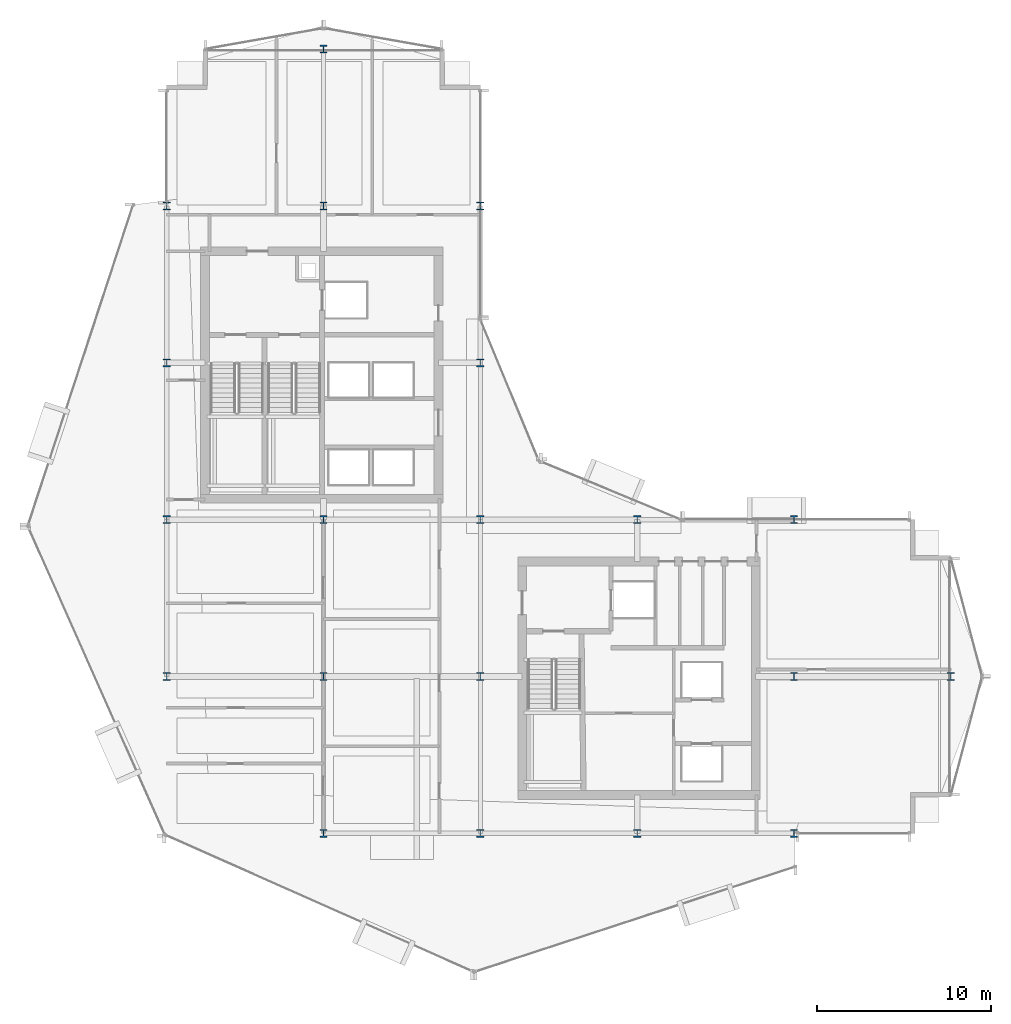
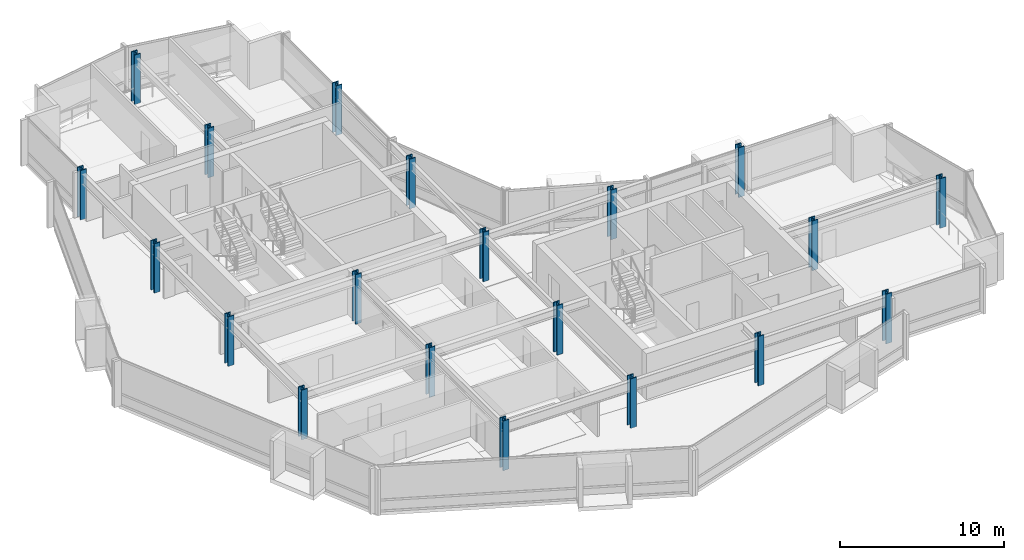
# One storey, part 1 of 28: 20 columns.
"""IFC4 building model written with IfcOpenShell, lengths in metres."""

from ifc_helpers import new_model, si_unit, direction, frame, origin, origin_2d, place, context, subcontext, project, spatial, i_section, extrude, material, material_profile, profile_set, type_object, element, save


model = new_model("IFC4")

# Units and contexts
model_context = context("Model", 3, precision=1e-05, world=origin(), true_north=direction((0.0, 1.0)))
body_context = subcontext(model_context, "Body", "Model", "MODEL_VIEW")
ifc_project = project(units=[si_unit("LENGTHUNIT", "METRE"), si_unit("AREAUNIT", "SQUARE_METRE"), si_unit("VOLUMEUNIT", "CUBIC_METRE"), si_unit("PLANEANGLEUNIT", "RADIAN"), si_unit("MASSUNIT", "GRAM", prefix="KILO")], contexts=[model_context])

# Site, building, storey
site_placement = place(None, origin())
site = spatial("IfcSite", under=ifc_project, at=site_placement, CompositionType="ELEMENT")
building_placement = place(site_placement, origin())
building = spatial("IfcBuilding", under=site, at=building_placement, Name="Solvaryn Broadcast Tower", CompositionType="ELEMENT")
storey_placement = place(building_placement, frame((0.0, 0.0, 135.89990234375)))
storey = spatial("IfcBuildingStorey", under=building, at=storey_placement, Name="L33", CompositionType="ELEMENT", Elevation=135.89990234375)

# Columns
ifc_material_1 = material(Name="Steel ASTM A913 Grade 65", Category="steel")
ifc_material_profile_1 = material_profile(ifc_material_1, i_section(OverallWidth=0.41796875, OverallDepth=0.455078125, WebThickness=0.0419921875, FlangeThickness=0.067626953125, FilletRadius=0.014892578125, at=origin_2d()))
ifc_profile_set_1 = profile_set([ifc_material_profile_1], Name="Steel ASTM A913 Grade 65")
column_type_1 = type_object("IfcColumnType", Name="COL-C05E-W14X370", PredefinedType="COLUMN", material=ifc_profile_set_1)
for number, where, z_axis, x_axis, name in (
    (1, (9.0, 18.0, 0.0), (0.0, 0.0, 1.0), (1.0, 0.0, 0.0), "L33 Column (9.0, 18.0)"),
    (2, (9.0, 27.0, 0.0), (0.0, 0.0, 1.0), (1.0, 0.0, 0.0), "L33 Column (9.0, 27.0)"),
    (3, (9.0, 36.0, 0.0), (0.0, 0.0, 1.0), (1.0, 0.0, 0.0), "L33 Column (9.0, 36.0)"),
    (4, (9.0, 45.0, 0.0), (0.0, 0.0, 1.0), (1.0, 0.0, 0.0), "L33 Column (9.0, 45.0)"),
    (5, (18.0, 9.0, 0.0), (0.0, 0.0, 1.0), (1.0, 0.0, 0.0), "L33 Column (18.0, 9.0)"),
    (6, (18.0, 54.0, 0.0), (0.0, 0.0, 1.0), (1.0, 0.0, 0.0), "L33 Column (18.0, 54.0)"),
    (7, (27.0, 9.0, 0.0), (0.0, 0.0, 1.0), (1.0, 0.0, 0.0), "L33 Column (27.0, 9.0)"),
    (8, (27.0, 36.0, 0.0), (0.0, 0.0, 1.0), (1.0, 0.0, 0.0), "L33 Column (27.0, 36.0)"),
    (9, (27.0, 45.0, 0.0), (0.0, 0.0, 1.0), (1.0, 0.0, 0.0), "L33 Column (27.0, 45.0)"),
    (10, (36.0, 9.0, 0.0), (0.0, 0.0, 1.0), (1.0, 0.0, 0.0), "L33 Column (36.0, 9.0)"),
    (11, (36.0, 27.0, 0.0), (0.0, 0.0, 1.0), (1.0, 0.0, 0.0), "L33 Column (36.0, 27.0)"),
    (12, (45.0, 9.0, 0.0), (0.0, 0.0, 1.0), (1.0, 0.0, 0.0), "L33 Column (45.0, 9.0)"),
    (13, (45.0, 27.0, 0.0), (0.0, 0.0, 1.0), (1.0, 0.0, 0.0), "L33 Column (45.0, 27.0)"),
    (14, (54.0, 18.0, 0.0), (0.0, 0.0, 1.0), (1.0, 0.0, 0.0), "L33 Column (54.0, 18.0)"),
):
    element("IfcColumn", number, at=place(storey_placement, frame(where, z_axis=z_axis, x_axis=x_axis)), inside=storey, type_object=column_type_1, Name=name, PredefinedType="COLUMN", context=body_context, shape_type="SweptSolid", body=[
        extrude(i_section(OverallWidth=0.41796875, OverallDepth=0.455078125, WebThickness=0.0419921875, FlangeThickness=0.067626953125, FilletRadius=0.014892578125, at=origin_2d()), origin(), (0.0, 0.0, 1.0), 3.7001953125),
    ])
ifc_material_2 = material(Name="Steel ASTM A913 Grade 65", Category="steel")
ifc_material_profile_2 = material_profile(ifc_material_2, i_section(OverallWidth=0.41796875, OverallDepth=0.455078125, WebThickness=0.0419921875, FlangeThickness=0.067626953125, FilletRadius=0.014892578125, at=origin_2d()))
ifc_profile_set_2 = profile_set([ifc_material_profile_2], Name="Steel ASTM A913 Grade 65")
column_type_2 = type_object("IfcColumnType", Name="COL-C05I-W14X370", PredefinedType="COLUMN", material=ifc_profile_set_2)
for number, where, z_axis, x_axis, name in (
    (15, (18.0, 18.0, 0.0), (0.0, 0.0, 1.0), (1.0, 0.0, 0.0), "L33 Column (18.0, 18.0)"),
    (16, (18.0, 27.0, 0.0), (0.0, 0.0, 1.0), (1.0, 0.0, 0.0), "L33 Column (18.0, 27.0)"),
    (17, (18.0, 45.0, 0.0), (0.0, 0.0, 1.0), (1.0, 0.0, 0.0), "L33 Column (18.0, 45.0)"),
    (18, (27.0, 18.0, 0.0), (0.0, 0.0, 1.0), (1.0, 0.0, 0.0), "L33 Column (27.0, 18.0)"),
    (19, (27.0, 27.0, 0.0), (0.0, 0.0, 1.0), (1.0, 0.0, 0.0), "L33 Column (27.0, 27.0)"),
    (20, (45.0, 18.0, 0.0), (0.0, 0.0, 1.0), (1.0, 0.0, 0.0), "L33 Column (45.0, 18.0)"),
):
    element("IfcColumn", number, at=place(storey_placement, frame(where, z_axis=z_axis, x_axis=x_axis)), inside=storey, type_object=column_type_2, Name=name, PredefinedType="COLUMN", context=body_context, shape_type="SweptSolid", body=[
        extrude(i_section(OverallWidth=0.41796875, OverallDepth=0.455078125, WebThickness=0.0419921875, FlangeThickness=0.067626953125, FilletRadius=0.014892578125, at=origin_2d()), origin(), (0.0, 0.0, 1.0), 3.7001953125),
    ])

save(model, "model.ifc")
